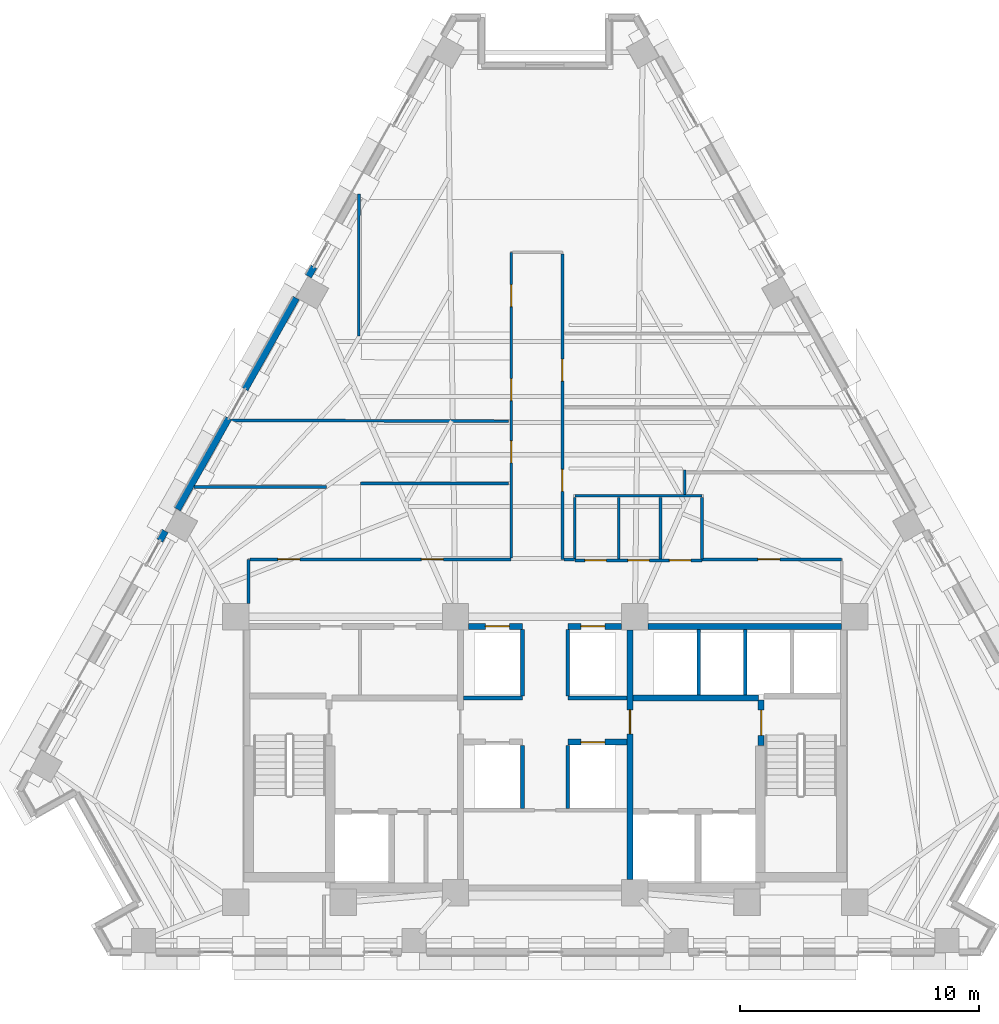
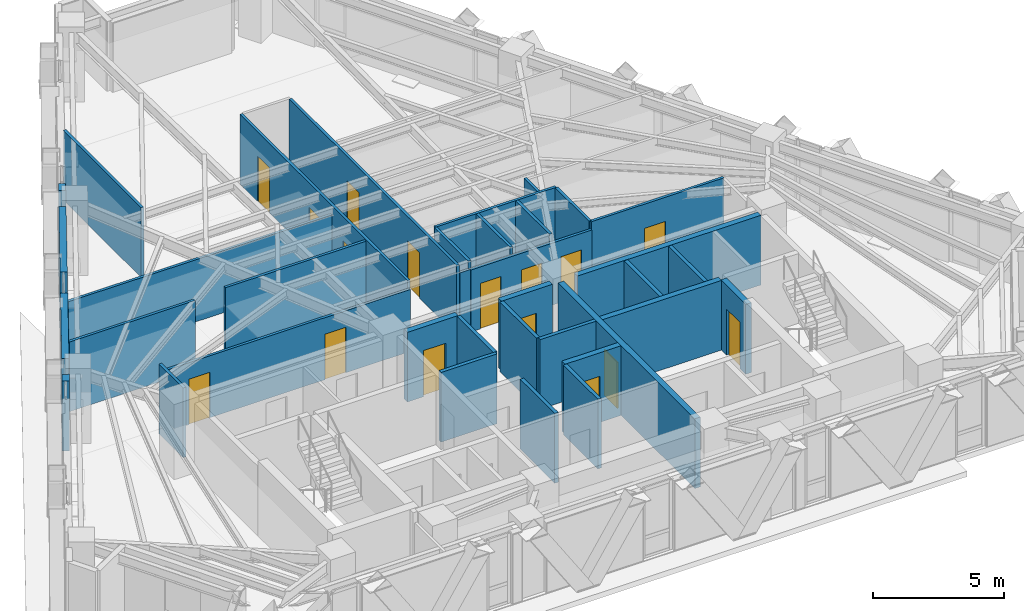
# One storey, part 8 of 13: 36 walls, 16 doors, 16 openings.
"""IFC4 building model written with IfcOpenShell, lengths in metres."""

from ifc_helpers import new_model, si_unit, direction, frame, frame_2d, origin, place, context, subcontext, project, spatial, rectangle, extrude, material, layer, layer_set, type_object, element, fill, save


model = new_model("IFC4")

# Units and contexts
model_context = context("Model", 3, precision=1e-05, world=origin(), true_north=direction((0.0, 1.0)))
body_context = subcontext(model_context, "Body", "Model", "MODEL_VIEW")
ifc_project = project(units=[si_unit("LENGTHUNIT", "METRE"), si_unit("AREAUNIT", "SQUARE_METRE"), si_unit("VOLUMEUNIT", "CUBIC_METRE"), si_unit("PLANEANGLEUNIT", "RADIAN"), si_unit("MASSUNIT", "GRAM", prefix="KILO")], contexts=[model_context])

# Site, building, storey
site_placement = place(None, origin())
site = spatial("IfcSite", under=ifc_project, at=site_placement, CompositionType="ELEMENT")
building_placement = place(site_placement, origin())
building = spatial("IfcBuilding", under=site, at=building_placement, Name="Quenlor Broadcast Tower", CompositionType="ELEMENT")
storey_placement = place(building_placement, frame((0.0, 0.0, 130.0)))
storey = spatial("IfcBuildingStorey", under=building, at=storey_placement, Name="L35", CompositionType="ELEMENT", Elevation=130.0)

# Wall, opening, door
ifc_material_1 = material(Name="Concrete C40/50", Category="concrete")
ifc_layer_1 = layer(ifc_material_1, 0.25)
ifc_layer_set_1 = layer_set([ifc_layer_1], Name="Fire Rated Concrete C40/50 Core Wall 250")
wall_type_1 = type_object("IfcWallType", Name="Fire Rated Concrete C40/50 Core Wall 250", PredefinedType="PARTITIONING", material=ifc_layer_set_1)
wall_1_placement = place(storey_placement, frame((9.0400390625, -10.179931640625, 0.0), z_axis=(0.0, 0.0, 1.0), x_axis=(0.0, 1.0, 0.0)))
wall_1 = element("IfcWall", 1, at=wall_1_placement, inside=storey, type_object=wall_type_1, Name="L35 Interior Wall CW-ST2-DR", PredefinedType="PARTITIONING", context=body_context, shape_type="SweptSolid", body=[
    extrude(rectangle(XDim=1.89990234375, YDim=0.25, at=frame_2d((0.949951171875, 0.0))), origin(), (0.0, 0.0, 1.0), 3.25),
])
opening_1_placement = place(wall_1_placement, frame((0.419921875, 0.0, 0.0)))
opening_1 = element("IfcOpeningElement", 2, at=opening_1_placement, cuts=wall_1, Name="Opening FD-1", PredefinedType="OPENING", context=body_context, shape_type="SweptSolid", body=[
    extrude(rectangle(XDim=1.050048828125, YDim=2.14990234375, at=frame_2d((0.52490234375, 1.074951171875))), frame((0.0, 0.135009765625, 0.0), z_axis=(0.0, -1.0, 0.0), x_axis=(1.0, 0.0, 0.0)), (0.0, 0.0, 1.0), 0.27001953125),
])
ifc_material_2 = material(Name="Fire Rated Steel Door Leaf", Category="steel")
door_type_1 = type_object("IfcDoorType", Name="Fire Isolated Stair Door 1050x2150", OperationType="NOTDEFINED", PredefinedType="DOOR", material=ifc_material_2)
door_1_placement = place(opening_1_placement, origin())
door_1 = element("IfcDoor", 3, at=door_1_placement, inside=storey, type_object=door_type_1, Name="L35 Door DR-ST2", OperationType="SINGLE_SWING_RIGHT", OverallHeight=2.14990234375, OverallWidth=1.050048828125, PredefinedType="DOOR", context=body_context, shape_type="SweptSolid", body=[
    extrude(rectangle(XDim=1.050048828125, YDim=2.14990234375, at=frame_2d((0.52490234375, 1.074951171875))), frame((0.0, 0.02490234375, 0.0), z_axis=(0.0, -1.0, 0.0), x_axis=(1.0, 0.0, 0.0)), (0.0, 0.0, 1.0), 0.050048828125),
])
fill(opening_1, door_1)

# Wall
wall_2_placement = place(storey_placement, frame((3.679931640625, -8.199951171875, 0.0), z_axis=(0.0, 0.0, 1.0), x_axis=(1.0, 0.0, 0.0)))
element("IfcWall", 4, at=wall_2_placement, inside=storey, type_object=wall_type_1, Name="L35 Interior Wall CW-FFE-N", PredefinedType="PARTITIONING", context=body_context, shape_type="SweptSolid", body=[
    extrude(rectangle(XDim=5.239990234375, YDim=0.25, at=frame_2d((2.6201171875, 0.0))), origin(), (0.0, 0.0, 1.0), 3.25),
])

# Wall, opening, door
wall_3_placement = place(storey_placement, frame((3.550048828125, -15.798095703125, 0.0), z_axis=(0.0, 0.0, 1.0), x_axis=(0.0, 1.0, 0.0)))
wall_3 = element("IfcWall", 5, at=wall_3_placement, inside=storey, type_object=wall_type_1, Name="L35 Interior Wall CW-FFE-W", PredefinedType="PARTITIONING", context=body_context, shape_type="SweptSolid", body=[
    extrude(rectangle(XDim=10.446044921875, YDim=0.25, at=frame_2d((5.22314453125, 0.0))), origin(), (0.0, 0.0, 1.0), 3.25),
])
opening_2_placement = place(wall_3_placement, frame((6.097900390625, 0.0, 0.0)))
opening_2 = element("IfcOpeningElement", 6, at=opening_2_placement, cuts=wall_3, Name="Opening FD-2", PredefinedType="OPENING", context=body_context, shape_type="SweptSolid", body=[
    extrude(rectangle(XDim=1.0, YDim=2.14990234375, at=frame_2d((0.5, 1.074951171875))), frame((0.0, 0.135009765625, 0.0), z_axis=(0.0, -1.0, 0.0), x_axis=(1.0, 0.0, 0.0)), (0.0, 0.0, 1.0), 0.27001953125),
])
ifc_material_3 = material(Name="Fire Rated Glazed Steel Door", Category="steel")
door_type_2 = type_object("IfcDoorType", Name="Firefighting Lobby Smoke Door 1000x2150", OperationType="NOTDEFINED", PredefinedType="DOOR", material=ifc_material_3)
door_2_placement = place(opening_2_placement, origin())
door_2 = element("IfcDoor", 7, at=door_2_placement, inside=storey, type_object=door_type_2, Name="L35 Door DR-FFLE", OperationType="SINGLE_SWING_LEFT", OverallHeight=2.14990234375, OverallWidth=1.0, PredefinedType="DOOR", context=body_context, shape_type="SweptSolid", body=[
    extrude(rectangle(XDim=1.0, YDim=2.14990234375, at=frame_2d((0.5, 1.074951171875))), frame((0.0, 0.02490234375, 0.0), z_axis=(0.0, -1.0, 0.0), x_axis=(1.0, 0.0, 0.0)), (0.0, 0.0, 1.0), 0.050048828125),
])
fill(opening_2, door_2)

# Wall
wall_4_placement = place(storey_placement, frame((4.302001953125, -5.199951171875, 0.0), z_axis=(0.0, 0.0, 1.0), x_axis=(1.0, 0.0, 0.0)))
element("IfcWall", 8, at=wall_4_placement, inside=storey, type_object=wall_type_1, Name="L35 Interior Wall CW-N-E", PredefinedType="PARTITIONING", context=body_context, shape_type="SweptSolid", body=[
    extrude(rectangle(XDim=8.095947265625, YDim=0.25, at=frame_2d((4.0478515625, 0.0))), origin(), (0.0, 0.0, 1.0), 3.25),
])

# Wall, opening, door
wall_5_placement = place(storey_placement, frame((-3.197998046875, -5.199951171875, 0.0), z_axis=(0.0, 0.0, 1.0), x_axis=(1.0, 0.0, 0.0)))
wall_5 = element("IfcWall", 9, at=wall_5_placement, inside=storey, type_object=wall_type_1, Name="L35 Interior Wall CW-N-M1", PredefinedType="PARTITIONING", context=body_context, shape_type="SweptSolid", body=[
    extrude(rectangle(XDim=2.248046875, YDim=0.25, at=frame_2d((1.1240234375, 0.0))), origin(), (0.0, 0.0, 1.0), 3.25),
])
opening_3_placement = place(wall_5_placement, frame((0.697998046875, 0.0, 0.0)))
opening_3 = element("IfcOpeningElement", 10, at=opening_3_placement, cuts=wall_5, Name="Opening LD-PL-M1", PredefinedType="OPENING", context=body_context, shape_type="SweptSolid", body=[
    extrude(rectangle(XDim=1.0, YDim=2.14990234375, at=frame_2d((0.5, 1.074951171875))), frame((0.0, 0.135009765625, 0.0), z_axis=(0.0, -1.0, 0.0), x_axis=(1.0, 0.0, 0.0)), (0.0, 0.0, 1.0), 0.27001953125),
])
ifc_material_4 = material(Name="Brushed Stainless Steel", Category="steel")
door_type_3 = type_object("IfcDoorType", Name="Passenger Lift Sliding Landing Door 1000x2150", OperationType="NOTDEFINED", PredefinedType="DOOR", material=ifc_material_4)
door_3_placement = place(opening_3_placement, origin())
door_3 = element("IfcDoor", 11, at=door_3_placement, inside=storey, type_object=door_type_3, Name="L35 Door LD-PL-M1", OperationType="SLIDING_TO_LEFT", OverallHeight=2.14990234375, OverallWidth=1.0, PredefinedType="DOOR", context=body_context, shape_type="SweptSolid", body=[
    extrude(rectangle(XDim=1.0, YDim=2.14990234375, at=frame_2d((0.5, 1.074951171875))), frame((0.0, 0.02490234375, 0.0), z_axis=(0.0, -1.0, 0.0), x_axis=(1.0, 0.0, 0.0)), (0.0, 0.0, 1.0), 0.050048828125),
])
fill(opening_3, door_3)

wall_6_placement = place(storey_placement, frame((0.949951171875, -5.199951171875, 0.0), z_axis=(0.0, 0.0, 1.0), x_axis=(1.0, 0.0, 0.0)))
wall_6 = element("IfcWall", 12, at=wall_6_placement, inside=storey, type_object=wall_type_1, Name="L35 Interior Wall CW-N-M2", PredefinedType="PARTITIONING", context=body_context, shape_type="SweptSolid", body=[
    extrude(rectangle(XDim=2.248046875, YDim=0.25, at=frame_2d((1.1240234375, 0.0))), origin(), (0.0, 0.0, 1.0), 3.25),
])
opening_4_placement = place(wall_6_placement, frame((0.550048828125, 0.0, 0.0)))
opening_4 = element("IfcOpeningElement", 13, at=opening_4_placement, cuts=wall_6, Name="Opening LD-PL-M2", PredefinedType="OPENING", context=body_context, shape_type="SweptSolid", body=[
    extrude(rectangle(XDim=1.0, YDim=2.14990234375, at=frame_2d((0.5, 1.074951171875))), frame((0.0, 0.135009765625, 0.0), z_axis=(0.0, -1.0, 0.0), x_axis=(1.0, 0.0, 0.0)), (0.0, 0.0, 1.0), 0.27001953125),
])
door_4_placement = place(opening_4_placement, origin())
door_4 = element("IfcDoor", 14, at=door_4_placement, inside=storey, type_object=door_type_3, Name="L35 Door LD-PL-M2", OperationType="SLIDING_TO_RIGHT", OverallHeight=2.14990234375, OverallWidth=1.0, PredefinedType="DOOR", context=body_context, shape_type="SweptSolid", body=[
    extrude(rectangle(XDim=1.0, YDim=2.14990234375, at=frame_2d((0.5, 1.074951171875))), frame((0.0, 0.02490234375, 0.0), z_axis=(0.0, -1.0, 0.0), x_axis=(1.0, 0.0, 0.0)), (0.0, 0.0, 1.0), 0.050048828125),
])
fill(opening_4, door_4)

wall_7_placement = place(storey_placement, frame((0.949951171875, -10.050048828125, 0.0), z_axis=(0.0, 0.0, 1.0), x_axis=(1.0, 0.0, 0.0)))
wall_7 = element("IfcWall", 15, at=wall_7_placement, inside=storey, type_object=wall_type_1, Name="L35 Interior Wall CW-MS-N2", PredefinedType="PARTITIONING", context=body_context, shape_type="SweptSolid", body=[
    extrude(rectangle(XDim=2.469970703125, YDim=0.25, at=frame_2d((1.23486328125, 0.0))), origin(), (0.0, 0.0, 1.0), 3.25),
])
opening_5_placement = place(wall_7_placement, frame((0.550048828125, 0.0, 0.0)))
opening_5 = element("IfcOpeningElement", 16, at=opening_5_placement, cuts=wall_7, Name="Opening LD-PL-M4", PredefinedType="OPENING", context=body_context, shape_type="SweptSolid", body=[
    extrude(rectangle(XDim=1.0, YDim=2.14990234375, at=frame_2d((0.5, 1.074951171875))), frame((0.0, 0.135009765625, 0.0), z_axis=(0.0, -1.0, 0.0), x_axis=(1.0, 0.0, 0.0)), (0.0, 0.0, 1.0), 0.27001953125),
])
door_5_placement = place(opening_5_placement, origin())
door_5 = element("IfcDoor", 17, at=door_5_placement, inside=storey, type_object=door_type_3, Name="L35 Door LD-PL-M4", OperationType="SLIDING_TO_RIGHT", OverallHeight=2.14990234375, OverallWidth=1.0, PredefinedType="DOOR", context=body_context, shape_type="SweptSolid", body=[
    extrude(rectangle(XDim=1.0, YDim=2.14990234375, at=frame_2d((0.5, 1.074951171875))), frame((0.0, 0.02490234375, 0.0), z_axis=(0.0, -1.0, 0.0), x_axis=(1.0, 0.0, 0.0)), (0.0, 0.0, 1.0), 0.050048828125),
])
fill(opening_5, door_5)

# Walls
ifc_material_5 = material(Name="Gypsum Fireboard Partition", Category="other")
ifc_layer_2 = layer(ifc_material_5, 0.159912109375)
ifc_layer_set_2 = layer_set([ifc_layer_2], Name="Fire Rated Shaft and Corridor Partition 160")
wall_type_2 = type_object("IfcWallType", Name="Fire Rated Shaft and Corridor Partition 160", PredefinedType="PARTITIONING", material=ifc_layer_set_2)
for number, where, z_axis, x_axis, name in (
    (18, (6.425048828125, -8.072998046875, 0.0), (0.0, 0.0, 1.0), (0.0, 1.0, 0.0), "L35 Interior Wall CW-PLH-D1"),
    (19, (8.375, -8.072998046875, 0.0), (0.0, 0.0, 1.0), (0.0, 1.0, 0.0), "L35 Interior Wall CW-PLH-D2"),
):
    element("IfcWall", number, at=place(storey_placement, frame(where, z_axis=z_axis, x_axis=x_axis)), inside=storey, type_object=wall_type_2, Name=name, PredefinedType="PARTITIONING", context=body_context, shape_type="SweptSolid", body=[
        extrude(rectangle(XDim=2.73291015625, YDim=0.159912109375, at=frame_2d((1.366455078125, 0.0))), origin(), (0.0, 0.0, 1.0), 3.25),
    ])
for number, where, z_axis, x_axis, name in (
    (20, (-0.949951171875, -8.1201171875, 0.0), (0.0, 0.0, 1.0), (0.0, 1.0, 0.0), "L35 Interior Wall CW-CCRP-W"),
    (21, (0.949951171875, -8.1201171875, 0.0), (0.0, 0.0, 1.0), (0.0, 1.0, 0.0), "L35 Interior Wall CW-CCRP-E"),
):
    element("IfcWall", number, at=place(storey_placement, frame(where, z_axis=z_axis, x_axis=x_axis)), inside=storey, type_object=wall_type_2, Name=name, PredefinedType="PARTITIONING", context=body_context, shape_type="SweptSolid", body=[
        extrude(rectangle(XDim=2.780029296875, YDim=0.159912109375, at=frame_2d((1.39013671875, 0.0))), origin(), (0.0, 0.0, 1.0), 3.25),
    ])
for number, where, z_axis, x_axis, name in (
    (22, (-3.419921875, -8.199951171875, 0.0), (0.0, 0.0, 1.0), (1.0, 0.0, 0.0), "L35 Interior Wall CW-M-BACK1"),
    (23, (0.949951171875, -8.199951171875, 0.0), (0.0, 0.0, 1.0), (1.0, 0.0, 0.0), "L35 Interior Wall CW-M-BACK2"),
):
    element("IfcWall", number, at=place(storey_placement, frame(where, z_axis=z_axis, x_axis=x_axis)), inside=storey, type_object=wall_type_2, Name=name, PredefinedType="PARTITIONING", context=body_context, shape_type="SweptSolid", body=[
        extrude(rectangle(XDim=2.469970703125, YDim=0.159912109375, at=frame_2d((1.23486328125, 0.0))), origin(), (0.0, 0.0, 1.0), 3.25),
    ])
for number, where, z_axis, x_axis, name in (
    (24, (-0.949951171875, -12.818115234375, 0.0), (0.0, 0.0, 1.0), (0.0, 1.0, 0.0), "L35 Interior Wall CW-MS-W"),
    (25, (0.949951171875, -12.818115234375, 0.0), (0.0, 0.0, 1.0), (0.0, 1.0, 0.0), "L35 Interior Wall CW-MS-E"),
):
    element("IfcWall", number, at=place(storey_placement, frame(where, z_axis=z_axis, x_axis=x_axis)), inside=storey, type_object=wall_type_2, Name=name, PredefinedType="PARTITIONING", context=body_context, shape_type="SweptSolid", body=[
        extrude(rectangle(XDim=2.63818359375, YDim=0.159912109375, at=frame_2d((1.319091796875, 0.0))), origin(), (0.0, 0.0, 1.0), 3.25),
    ])

# Wall, openings, doors
ifc_material_6 = material(Name="Gypsum Plasterboard Partition", Category="other")
ifc_layer_3 = layer(ifc_material_6, 0.1201171875)
ifc_layer_set_3 = layer_set([ifc_layer_3], Name="Standard Office Partition 120")
wall_type_3 = type_object("IfcWallType", Name="Standard Office Partition 120", PredefinedType="PARTITIONING", material=ifc_layer_set_3)
wall_8_placement = place(storey_placement, frame((1.239990234375, -2.43994140625, 0.0), z_axis=(0.0, 0.0, 1.0), x_axis=(1.0, 0.0, 0.0)))
wall_8 = element("IfcWall", 26, at=wall_8_placement, inside=storey, type_object=wall_type_3, Name="L35 Interior Wall PW-WC-S", PredefinedType="PARTITIONING", context=body_context, shape_type="SweptSolid", body=[
    extrude(rectangle(XDim=5.320068359375, YDim=0.1201171875, at=frame_2d((2.66015625, 0.0))), origin(), (0.0, 0.0, 1.0), 2.891357421875),
])
opening_6_placement = place(wall_8_placement, frame((0.419921875, 0.0, 0.0)))
opening_6 = element("IfcOpeningElement", 27, at=opening_6_placement, cuts=wall_8, Name="Opening ID-3", PredefinedType="OPENING", context=body_context, shape_type="SweptSolid", body=[
    extrude(rectangle(XDim=0.89990234375, YDim=2.1201171875, at=frame_2d((0.449951171875, 1.06005859375))), frame((0.0, 0.070068359375, 0.0), z_axis=(0.0, -1.0, 0.0), x_axis=(1.0, 0.0, 0.0)), (0.0, 0.0, 1.0), 0.14013671875),
])
opening_7_placement = place(wall_8_placement, frame((2.219970703125, 0.0, 0.0)))
opening_7 = element("IfcOpeningElement", 28, at=opening_7_placement, cuts=wall_8, Name="Opening ID-3", PredefinedType="OPENING", context=body_context, shape_type="SweptSolid", body=[
    extrude(rectangle(XDim=0.89990234375, YDim=2.1201171875, at=frame_2d((0.449951171875, 1.06005859375))), frame((0.0, 0.070068359375, 0.0), z_axis=(0.0, -1.0, 0.0), x_axis=(1.0, 0.0, 0.0)), (0.0, 0.0, 1.0), 0.14013671875),
])
opening_8_placement = place(wall_8_placement, frame((3.9599609375, 0.0, 0.0)))
opening_8 = element("IfcOpeningElement", 29, at=opening_8_placement, cuts=wall_8, Name="Opening ID-3", PredefinedType="OPENING", context=body_context, shape_type="SweptSolid", body=[
    extrude(rectangle(XDim=0.89990234375, YDim=2.1201171875, at=frame_2d((0.449951171875, 1.06005859375))), frame((0.0, 0.070068359375, 0.0), z_axis=(0.0, -1.0, 0.0), x_axis=(1.0, 0.0, 0.0)), (0.0, 0.0, 1.0), 0.14013671875),
])
ifc_material_7 = material(Name="Moisture Resistant Timber Oak", Category="wood")
door_type_4 = type_object("IfcDoorType", Name="Washroom Privacy Door 900x2120", OperationType="NOTDEFINED", PredefinedType="DOOR", material=ifc_material_7)
door_6_placement = place(opening_6_placement, origin())
door_6 = element("IfcDoor", 30, at=door_6_placement, inside=storey, type_object=door_type_4, Name="L35 Door DR-AWC", OperationType="SINGLE_SWING_LEFT", OverallHeight=2.1201171875, OverallWidth=0.89990234375, PredefinedType="DOOR", context=body_context, shape_type="SweptSolid", body=[
    extrude(rectangle(XDim=0.89990234375, YDim=2.1201171875, at=frame_2d((0.449951171875, 1.06005859375))), frame((0.0, 0.02490234375, 0.0), z_axis=(0.0, -1.0, 0.0), x_axis=(1.0, 0.0, 0.0)), (0.0, 0.0, 1.0), 0.050048828125),
])
fill(opening_6, door_6)
door_7_placement = place(opening_7_placement, origin())
door_7 = element("IfcDoor", 31, at=door_7_placement, inside=storey, type_object=door_type_4, Name="L35 Door DR-MWC", OperationType="SINGLE_SWING_LEFT", OverallHeight=2.1201171875, OverallWidth=0.89990234375, PredefinedType="DOOR", context=body_context, shape_type="SweptSolid", body=[
    extrude(rectangle(XDim=0.89990234375, YDim=2.1201171875, at=frame_2d((0.449951171875, 1.06005859375))), frame((0.0, 0.02490234375, 0.0), z_axis=(0.0, -1.0, 0.0), x_axis=(1.0, 0.0, 0.0)), (0.0, 0.0, 1.0), 0.050048828125),
])
fill(opening_7, door_7)
door_8_placement = place(opening_8_placement, origin())
door_8 = element("IfcDoor", 32, at=door_8_placement, inside=storey, type_object=door_type_4, Name="L35 Door DR-FWC", OperationType="SINGLE_SWING_RIGHT", OverallHeight=2.1201171875, OverallWidth=0.89990234375, PredefinedType="DOOR", context=body_context, shape_type="SweptSolid", body=[
    extrude(rectangle(XDim=0.89990234375, YDim=2.1201171875, at=frame_2d((0.449951171875, 1.06005859375))), frame((0.0, 0.02490234375, 0.0), z_axis=(0.0, -1.0, 0.0), x_axis=(1.0, 0.0, 0.0)), (0.0, 0.0, 1.0), 0.050048828125),
])
fill(opening_8, door_8)

# Walls
wall_9_placement = place(storey_placement, frame((1.239990234375, 0.260009765625, 0.0), z_axis=(0.0, 0.0, 1.0), x_axis=(1.0, 0.0, 0.0)))
element("IfcWall", 33, at=wall_9_placement, inside=storey, type_object=wall_type_3, Name="L35 Interior Wall PW-WC-N", PredefinedType="PARTITIONING", context=body_context, shape_type="SweptSolid", body=[
    extrude(rectangle(XDim=5.320068359375, YDim=0.1201171875, at=frame_2d((2.66015625, 0.0))), origin(), (0.0, 0.0, 1.0), 3.25),
])
for number, where, z_axis, x_axis, name in (
    (34, (1.239990234375, -2.3779296875, 0.0), (0.0, 0.0, 1.0), (0.0, 1.0, 0.0), "L35 Interior Wall PW-WC-W"),
    (35, (3.080078125, -2.3779296875, 0.0), (0.0, 0.0, 1.0), (0.0, 1.0, 0.0), "L35 Interior Wall PW-WC-M1"),
    (36, (4.820068359375, -2.3779296875, 0.0), (0.0, 0.0, 1.0), (0.0, 1.0, 0.0), "L35 Interior Wall PW-WC-M2"),
    (37, (6.56005859375, -2.3779296875, 0.0), (0.0, 0.0, 1.0), (0.0, 1.0, 0.0), "L35 Interior Wall PW-WC-E"),
):
    element("IfcWall", number, at=place(storey_placement, frame(where, z_axis=z_axis, x_axis=x_axis)), inside=storey, type_object=wall_type_3, Name=name, PredefinedType="PARTITIONING", context=body_context, shape_type="SweptSolid", body=[
        extrude(rectangle(XDim=2.575927734375, YDim=0.1201171875, at=frame_2d((1.2880859375, 0.0))), origin(), (0.0, 0.0, 1.0), 3.25),
    ])
wall_10_placement = place(storey_placement, frame((-12.409912109375, -4.248046875, 0.0), z_axis=(0.0, 0.0, 1.0), x_axis=(0.0, 1.0, 0.0)))
element("IfcWall", 38, at=wall_10_placement, inside=storey, type_object=wall_type_3, Name="L35 Interior Wall PW-CR-01", PredefinedType="PARTITIONING", context=body_context, shape_type="SweptSolid", body=[
    extrude(rectangle(XDim=1.84814453125, YDim=0.1201171875, at=frame_2d((0.924072265625, 0.0))), origin(), (0.0, 0.0, 1.0), 3.25),
])

# Wall, openings, doors
wall_11_placement = place(storey_placement, frame((-12.347900390625, -2.39990234375, 0.0), z_axis=(0.0, 0.0, 1.0), x_axis=(1.0, 0.0, 0.0)))
wall_11 = element("IfcWall", 39, at=wall_11_placement, inside=storey, type_object=wall_type_3, Name="L35 Interior Wall PW-CR-02", PredefinedType="PARTITIONING", context=body_context, shape_type="SweptSolid", body=[
    extrude(rectangle(XDim=10.927978515625, YDim=0.1201171875, at=frame_2d((5.4638671875, 0.0))), origin(), (0.0, 0.0, 1.0), 2.891357421875),
])
opening_9_placement = place(wall_11_placement, frame((7.1689453125, 0.0, 0.0)))
opening_9 = element("IfcOpeningElement", 40, at=opening_9_placement, cuts=wall_11, Name="Opening ID-1", PredefinedType="OPENING", context=body_context, shape_type="SweptSolid", body=[
    extrude(rectangle(XDim=0.919921875, YDim=2.1201171875, at=frame_2d((0.4599609375, 1.06005859375))), frame((0.0, 0.070068359375, 0.0), z_axis=(0.0, -1.0, 0.0), x_axis=(1.0, 0.0, 0.0)), (0.0, 0.0, 1.0), 0.14013671875),
])
opening_10_placement = place(wall_11_placement, frame((1.16796875, 0.0, 0.0)))
opening_10 = element("IfcOpeningElement", 41, at=opening_10_placement, cuts=wall_11, Name="Opening ID-1", PredefinedType="OPENING", context=body_context, shape_type="SweptSolid", body=[
    extrude(rectangle(XDim=0.919921875, YDim=2.1201171875, at=frame_2d((0.4599609375, 1.06005859375))), frame((0.0, 0.070068359375, 0.0), z_axis=(0.0, -1.0, 0.0), x_axis=(1.0, 0.0, 0.0)), (0.0, 0.0, 1.0), 0.14013671875),
])
ifc_material_8 = material(Name="Solid Core Timber Oak", Category="wood")
door_type_5 = type_object("IfcDoorType", Name="Single Leaf Timber Office Door 920x2120", OperationType="NOTDEFINED", PredefinedType="DOOR", material=ifc_material_8)
door_9_placement = place(opening_9_placement, origin())
door_9 = element("IfcDoor", 42, at=door_9_placement, inside=storey, type_object=door_type_5, Name="L35 Door DR-RM06", OperationType="SINGLE_SWING_LEFT", OverallHeight=2.1201171875, OverallWidth=0.919921875, PredefinedType="DOOR", context=body_context, shape_type="SweptSolid", body=[
    extrude(rectangle(XDim=0.919921875, YDim=2.1201171875, at=frame_2d((0.4599609375, 1.06005859375))), frame((0.0, 0.02490234375, 0.0), z_axis=(0.0, -1.0, 0.0), x_axis=(1.0, 0.0, 0.0)), (0.0, 0.0, 1.0), 0.050048828125),
])
fill(opening_9, door_9)
door_10_placement = place(opening_10_placement, origin())
door_10 = element("IfcDoor", 43, at=door_10_placement, inside=storey, type_object=door_type_5, Name="L35 Door DR-RM07", OperationType="SINGLE_SWING_RIGHT", OverallHeight=2.1201171875, OverallWidth=0.919921875, PredefinedType="DOOR", context=body_context, shape_type="SweptSolid", body=[
    extrude(rectangle(XDim=0.919921875, YDim=2.1201171875, at=frame_2d((0.4599609375, 1.06005859375))), frame((0.0, 0.02490234375, 0.0), z_axis=(0.0, -1.0, 0.0), x_axis=(1.0, 0.0, 0.0)), (0.0, 0.0, 1.0), 0.050048828125),
])
fill(opening_10, door_10)

wall_12_placement = place(storey_placement, frame((-1.419921875, -2.337890625, 0.0), z_axis=(0.0, 0.0, 1.0), x_axis=(0.0, 1.0, 0.0)))
wall_12 = element("IfcWall", 44, at=wall_12_placement, inside=storey, type_object=wall_type_3, Name="L35 Interior Wall PW-CR-03", PredefinedType="PARTITIONING", context=body_context, shape_type="SweptSolid", body=[
    extrude(rectangle(XDim=12.787841796875, YDim=0.1201171875, at=frame_2d((6.39404296875, 0.0))), origin(), (0.0, 0.0, 1.0), 3.25),
])
opening_11_placement = place(wall_12_placement, frame((10.514892578125, 0.0, 0.0)))
opening_11 = element("IfcOpeningElement", 45, at=opening_11_placement, cuts=wall_12, Name="Opening ID-1", PredefinedType="OPENING", context=body_context, shape_type="SweptSolid", body=[
    extrude(rectangle(XDim=0.919921875, YDim=2.1201171875, at=frame_2d((0.4599609375, 1.06005859375))), frame((0.0, 0.070068359375, 0.0), z_axis=(0.0, -1.0, 0.0), x_axis=(1.0, 0.0, 0.0)), (0.0, 0.0, 1.0), 0.14013671875),
])
opening_12_placement = place(wall_12_placement, frame((6.577880859375, 0.0, 0.0)))
opening_12 = element("IfcOpeningElement", 46, at=opening_12_placement, cuts=wall_12, Name="Opening ID-1", PredefinedType="OPENING", context=body_context, shape_type="SweptSolid", body=[
    extrude(rectangle(XDim=0.919921875, YDim=2.1201171875, at=frame_2d((0.4599609375, 1.06005859375))), frame((0.0, 0.070068359375, 0.0), z_axis=(0.0, -1.0, 0.0), x_axis=(1.0, 0.0, 0.0)), (0.0, 0.0, 1.0), 0.14013671875),
])
opening_13_placement = place(wall_12_placement, frame((3.97802734375, 0.0, 0.0)))
opening_13 = element("IfcOpeningElement", 47, at=opening_13_placement, cuts=wall_12, Name="Opening ID-1", PredefinedType="OPENING", context=body_context, shape_type="SweptSolid", body=[
    extrude(rectangle(XDim=0.919921875, YDim=2.1201171875, at=frame_2d((0.4599609375, 1.06005859375))), frame((0.0, 0.070068359375, 0.0), z_axis=(0.0, -1.0, 0.0), x_axis=(1.0, 0.0, 0.0)), (0.0, 0.0, 1.0), 0.14013671875),
])
door_11_placement = place(opening_11_placement, origin())
door_11 = element("IfcDoor", 48, at=door_11_placement, inside=storey, type_object=door_type_5, Name="L35 Door DR-RM01", OperationType="SINGLE_SWING_RIGHT", OverallHeight=2.1201171875, OverallWidth=0.919921875, PredefinedType="DOOR", context=body_context, shape_type="SweptSolid", body=[
    extrude(rectangle(XDim=0.919921875, YDim=2.1201171875, at=frame_2d((0.4599609375, 1.06005859375))), frame((0.0, 0.02490234375, 0.0), z_axis=(0.0, -1.0, 0.0), x_axis=(1.0, 0.0, 0.0)), (0.0, 0.0, 1.0), 0.050048828125),
])
fill(opening_11, door_11)
door_12_placement = place(opening_12_placement, origin())
door_12 = element("IfcDoor", 49, at=door_12_placement, inside=storey, type_object=door_type_5, Name="L35 Door DR-RM02", OperationType="SINGLE_SWING_LEFT", OverallHeight=2.1201171875, OverallWidth=0.919921875, PredefinedType="DOOR", context=body_context, shape_type="SweptSolid", body=[
    extrude(rectangle(XDim=0.919921875, YDim=2.1201171875, at=frame_2d((0.4599609375, 1.06005859375))), frame((0.0, 0.02490234375, 0.0), z_axis=(0.0, -1.0, 0.0), x_axis=(1.0, 0.0, 0.0)), (0.0, 0.0, 1.0), 0.050048828125),
])
fill(opening_12, door_12)
door_13_placement = place(opening_13_placement, origin())
door_13 = element("IfcDoor", 50, at=door_13_placement, inside=storey, type_object=door_type_5, Name="L35 Door DR-RM05", OperationType="SINGLE_SWING_RIGHT", OverallHeight=2.1201171875, OverallWidth=0.919921875, PredefinedType="DOOR", context=body_context, shape_type="SweptSolid", body=[
    extrude(rectangle(XDim=0.919921875, YDim=2.1201171875, at=frame_2d((0.4599609375, 1.06005859375))), frame((0.0, 0.02490234375, 0.0), z_axis=(0.0, -1.0, 0.0), x_axis=(1.0, 0.0, 0.0)), (0.0, 0.0, 1.0), 0.050048828125),
])
fill(opening_13, door_13)

wall_13_placement = place(storey_placement, frame((0.719970703125, 10.387939453125, 0.0), z_axis=(0.0, 0.0, 1.0), x_axis=(0.0, -1.0, 0.0)))
wall_13 = element("IfcWall", 51, at=wall_13_placement, inside=storey, type_object=wall_type_3, Name="L35 Interior Wall PW-CR-05", PredefinedType="PARTITIONING", context=body_context, shape_type="SweptSolid", body=[
    extrude(rectangle(XDim=12.787841796875, YDim=0.1201171875, at=frame_2d((6.39404296875, 0.0))), origin(), (0.0, 0.0, 1.0), 3.25),
])
opening_14_placement = place(wall_13_placement, frame((4.408935546875, 0.0, 0.0)))
opening_14 = element("IfcOpeningElement", 52, at=opening_14_placement, cuts=wall_13, Name="Opening ID-1", PredefinedType="OPENING", context=body_context, shape_type="SweptSolid", body=[
    extrude(rectangle(XDim=0.919921875, YDim=2.1201171875, at=frame_2d((0.4599609375, 1.06005859375))), frame((0.0, 0.070068359375, 0.0), z_axis=(0.0, -1.0, 0.0), x_axis=(1.0, 0.0, 0.0)), (0.0, 0.0, 1.0), 0.14013671875),
])
opening_15_placement = place(wall_13_placement, frame((9.02099609375, 0.0, 0.0)))
opening_15 = element("IfcOpeningElement", 53, at=opening_15_placement, cuts=wall_13, Name="Opening ID-1", PredefinedType="OPENING", context=body_context, shape_type="SweptSolid", body=[
    extrude(rectangle(XDim=0.919921875, YDim=2.1201171875, at=frame_2d((0.4599609375, 1.06005859375))), frame((0.0, 0.070068359375, 0.0), z_axis=(0.0, -1.0, 0.0), x_axis=(1.0, 0.0, 0.0)), (0.0, 0.0, 1.0), 0.14013671875),
])
door_14_placement = place(opening_14_placement, origin())
door_14 = element("IfcDoor", 54, at=door_14_placement, inside=storey, type_object=door_type_5, Name="L35 Door DR-RM03", OperationType="SINGLE_SWING_RIGHT", OverallHeight=2.1201171875, OverallWidth=0.919921875, PredefinedType="DOOR", context=body_context, shape_type="SweptSolid", body=[
    extrude(rectangle(XDim=0.919921875, YDim=2.1201171875, at=frame_2d((0.4599609375, 1.06005859375))), frame((0.0, 0.02490234375, 0.0), z_axis=(0.0, -1.0, 0.0), x_axis=(1.0, 0.0, 0.0)), (0.0, 0.0, 1.0), 0.050048828125),
])
fill(opening_14, door_14)
door_15_placement = place(opening_15_placement, origin())
door_15 = element("IfcDoor", 55, at=door_15_placement, inside=storey, type_object=door_type_5, Name="L35 Door DR-RM04", OperationType="SINGLE_SWING_LEFT", OverallHeight=2.1201171875, OverallWidth=0.919921875, PredefinedType="DOOR", context=body_context, shape_type="SweptSolid", body=[
    extrude(rectangle(XDim=0.919921875, YDim=2.1201171875, at=frame_2d((0.4599609375, 1.06005859375))), frame((0.0, 0.02490234375, 0.0), z_axis=(0.0, -1.0, 0.0), x_axis=(1.0, 0.0, 0.0)), (0.0, 0.0, 1.0), 0.050048828125),
])
fill(opening_15, door_15)

# Wall
wall_14_placement = place(storey_placement, frame((0.781982421875, -2.39990234375, 0.0), z_axis=(0.0, 0.0, 1.0), x_axis=(1.0, 0.0, 0.0)))
element("IfcWall", 56, at=wall_14_placement, inside=storey, type_object=wall_type_3, Name="L35 Interior Wall PW-CR-06", PredefinedType="PARTITIONING", context=body_context, shape_type="SweptSolid", body=[
    extrude(rectangle(XDim=0.4560546875, YDim=0.1201171875, at=frame_2d((0.22802734375, 0.0))), origin(), (0.0, 0.0, 1.0), 2.891357421875),
])

# Wall, opening, door
wall_15_placement = place(storey_placement, frame((6.56201171875, -2.39990234375, 0.0), z_axis=(0.0, 0.0, 1.0), x_axis=(1.0, 0.0, 0.0)))
wall_15 = element("IfcWall", 57, at=wall_15_placement, inside=storey, type_object=wall_type_3, Name="L35 Interior Wall PW-CR-06S2", PredefinedType="PARTITIONING", context=body_context, shape_type="SweptSolid", body=[
    extrude(rectangle(XDim=5.847900390625, YDim=0.1201171875, at=frame_2d((2.923828125, 0.0))), origin(), (0.0, 0.0, 1.0), 3.25),
])
opening_16_placement = place(wall_15_placement, frame((2.343994140625, 0.0, 0.0)))
opening_16 = element("IfcOpeningElement", 58, at=opening_16_placement, cuts=wall_15, Name="Opening ID-1", PredefinedType="OPENING", context=body_context, shape_type="SweptSolid", body=[
    extrude(rectangle(XDim=0.919921875, YDim=2.1201171875, at=frame_2d((0.4599609375, 1.06005859375))), frame((0.0, 0.070068359375, 0.0), z_axis=(0.0, -1.0, 0.0), x_axis=(1.0, 0.0, 0.0)), (0.0, 0.0, 1.0), 0.14013671875),
])
door_16_placement = place(opening_16_placement, origin())
door_16 = element("IfcDoor", 59, at=door_16_placement, inside=storey, type_object=door_type_5, Name="L35 Door DR-RM08", OperationType="SINGLE_SWING_LEFT", OverallHeight=2.1201171875, OverallWidth=0.919921875, PredefinedType="DOOR", context=body_context, shape_type="SweptSolid", body=[
    extrude(rectangle(XDim=0.919921875, YDim=2.1201171875, at=frame_2d((0.4599609375, 1.06005859375))), frame((0.0, 0.02490234375, 0.0), z_axis=(0.0, -1.0, 0.0), x_axis=(1.0, 0.0, 0.0)), (0.0, 0.0, 1.0), 0.050048828125),
])
fill(opening_16, door_16)

# Walls
wall_16_placement = place(storey_placement, frame((-7.800048828125, 6.94287109375, 0.0), z_axis=(0.0, 0.0, 1.0), x_axis=(0.000738370461, 0.999999727404, 0.0)))
element("IfcWall", 60, at=wall_16_placement, inside=storey, type_object=wall_type_3, Name="L35 Interior Wall PW-DV-01", PredefinedType="PARTITIONING", context=body_context, shape_type="SweptSolid", body=[
    extrude(rectangle(XDim=5.95166015625, YDim=0.1201171875, at=frame_2d((2.975830078125, 0.0))), origin(), (0.0, 0.0, 1.0), 3.25),
])
wall_17_placement = place(storey_placement, frame((-1.530029296875, 3.380615234375, 0.0), z_axis=(0.0, 0.0, 1.0), x_axis=(-0.999994325485, 0.003368827475, 0.0)))
element("IfcWall", 61, at=wall_17_placement, inside=storey, type_object=wall_type_3, Name="L35 Interior Wall PW-DV-03", PredefinedType="PARTITIONING", context=body_context, shape_type="SweptSolid", body=[
    extrude(rectangle(XDim=11.59521484375, YDim=0.1201171875, at=frame_2d((5.797607421875, 0.0))), origin(), (0.0, 0.0, 1.0), 2.891357421875),
])
wall_18_placement = place(storey_placement, frame((5.840087890625, 1.33349609375, 0.0), z_axis=(0.0, 0.0, 1.0), x_axis=(0.0, -1.0, 0.0)))
element("IfcWall", 62, at=wall_18_placement, inside=storey, type_object=wall_type_3, Name="L35 Interior Wall PW-DV-05", PredefinedType="PARTITIONING", context=body_context, shape_type="SweptSolid", body=[
    extrude(rectangle(XDim=1.011474609375, YDim=0.1201171875, at=frame_2d((0.505859375, 0.0))), origin(), (0.0, 0.0, 1.0), 3.25),
])
wall_19_placement = place(storey_placement, frame((-1.530029296875, 0.780029296875, 0.0), z_axis=(0.0, 0.0, 1.0), x_axis=(-1.0, 0.0, 0.0)))
element("IfcWall", 63, at=wall_19_placement, inside=storey, type_object=wall_type_3, Name="L35 Interior Wall PW-DV-07", PredefinedType="PARTITIONING", context=body_context, shape_type="SweptSolid", body=[
    extrude(rectangle(XDim=6.194580078125, YDim=0.1201171875, at=frame_2d((3.09716796875, 0.0))), origin(), (0.0, 0.0, 1.0), 3.25),
])
wall_20_placement = place(storey_placement, frame((-9.149169921875, 0.6298828125, 0.0), z_axis=(0.0, 0.0, 1.0), x_axis=(-1.0, 0.0, 0.0)))
element("IfcWall", 64, at=wall_20_placement, inside=storey, type_object=wall_type_3, Name="L35 Interior Wall PW-DV-08", PredefinedType="PARTITIONING", context=body_context, shape_type="SweptSolid", body=[
    extrude(rectangle(XDim=5.54541015625, YDim=0.1201171875, at=frame_2d((2.772705078125, 0.0))), origin(), (0.0, 0.0, 1.0), 3.25),
])
ifc_material_9 = material(Name="Precast concrete C40/50", Category="concrete")
ifc_layer_4 = layer(ifc_material_9, 0.280029296875)
ifc_layer_set_4 = layer_set([ifc_layer_4], Name="Terracotta Precast Concrete C40/50 Facade Wall 280")
wall_type_4 = type_object("IfcWallType", Name="Terracotta Precast Concrete C40/50 Facade Wall 280", PredefinedType="STANDARD", material=ifc_layer_set_4)
for number, where, z_axis, x_axis, name in (
    (65, (-16.120849609375, -1.6162109375, 0.0), (0.0, 0.0, 1.0), (0.490009165718, 0.871717280724, 0.0), "L35 Exterior Wall L35-NWA-SP3"),
    (66, (-9.899658203125, 9.44384765625, 0.0), (0.0, 0.0, 1.0), (0.490412424957, 0.871490478116, 0.0), "L35 Exterior Wall L35-NWC-SP1"),
):
    element("IfcWall", number, at=place(storey_placement, frame(where, z_axis=z_axis, x_axis=x_axis)), inside=storey, type_object=wall_type_4, Name=name, PredefinedType="STANDARD", context=body_context, shape_type="SweptSolid", body=[
        extrude(rectangle(XDim=0.4599609375, YDim=0.280029296875, at=frame_2d((0.22998046875, 0.0))), origin(), (0.0, 0.0, 1.0), 3.25),
    ])
wall_21_placement = place(storey_placement, frame((-15.383056640625, -0.3046875, 0.0), z_axis=(0.0, 0.0, 1.0), x_axis=(0.490232095789, 0.871591929895, 0.0)))
element("IfcWall", 67, at=wall_21_placement, inside=storey, type_object=wall_type_4, Name="L35 Exterior Wall L35-NW-SP1", PredefinedType="STANDARD", context=body_context, shape_type="SweptSolid", body=[
    extrude(rectangle(XDim=4.375, YDim=0.280029296875, at=frame_2d((2.1875, 0.0))), origin(), (0.0, 0.0, 1.0), 3.25),
])
wall_22_placement = place(storey_placement, frame((-12.556884765625, 4.7197265625, 0.0), z_axis=(0.0, 0.0, 1.0), x_axis=(0.490274486291, 0.871568085747, 0.0)))
element("IfcWall", 68, at=wall_22_placement, inside=storey, type_object=wall_type_4, Name="L35 Exterior Wall L35-NW-SP2", PredefinedType="STANDARD", context=body_context, shape_type="SweptSolid", body=[
    extrude(rectangle(XDim=4.375244140625, YDim=0.280029296875, at=frame_2d((2.1875, 0.0))), origin(), (0.0, 0.0, 1.0), 3.25),
])

save(model, "model.ifc")
